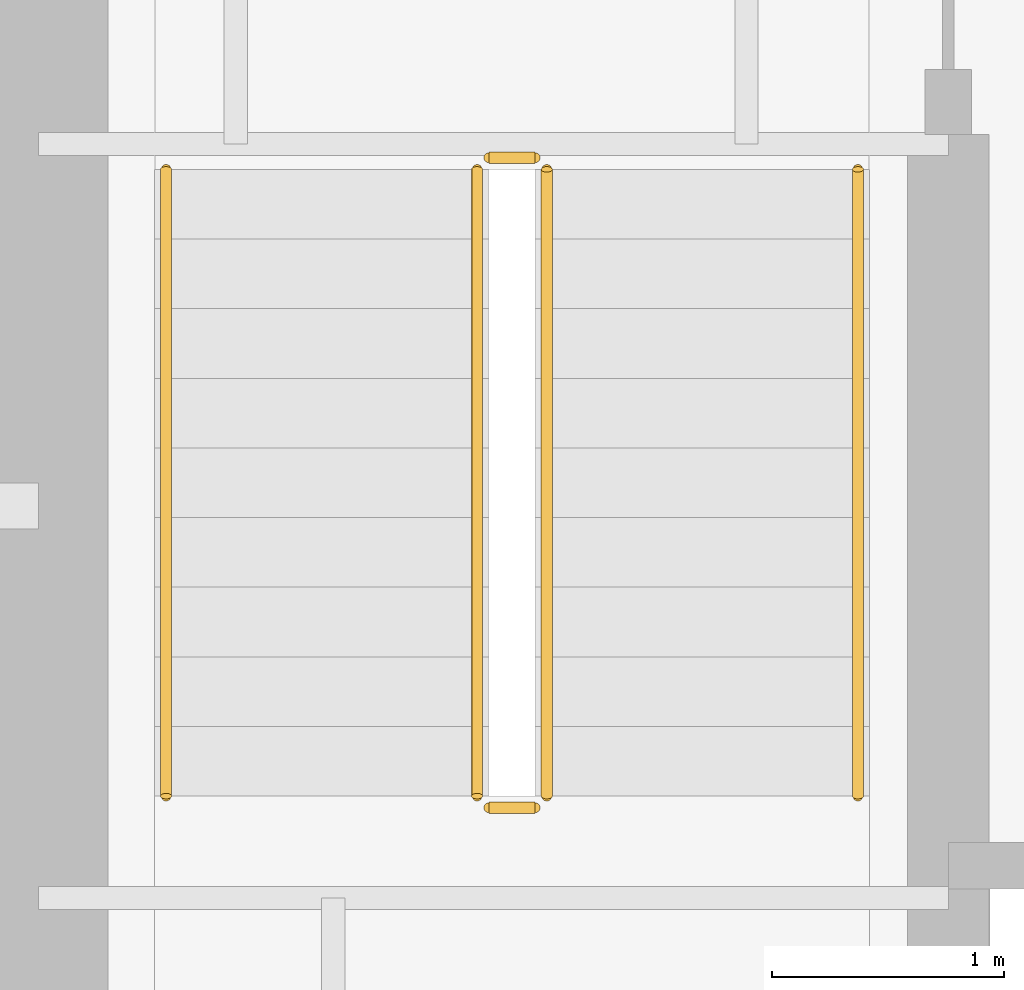
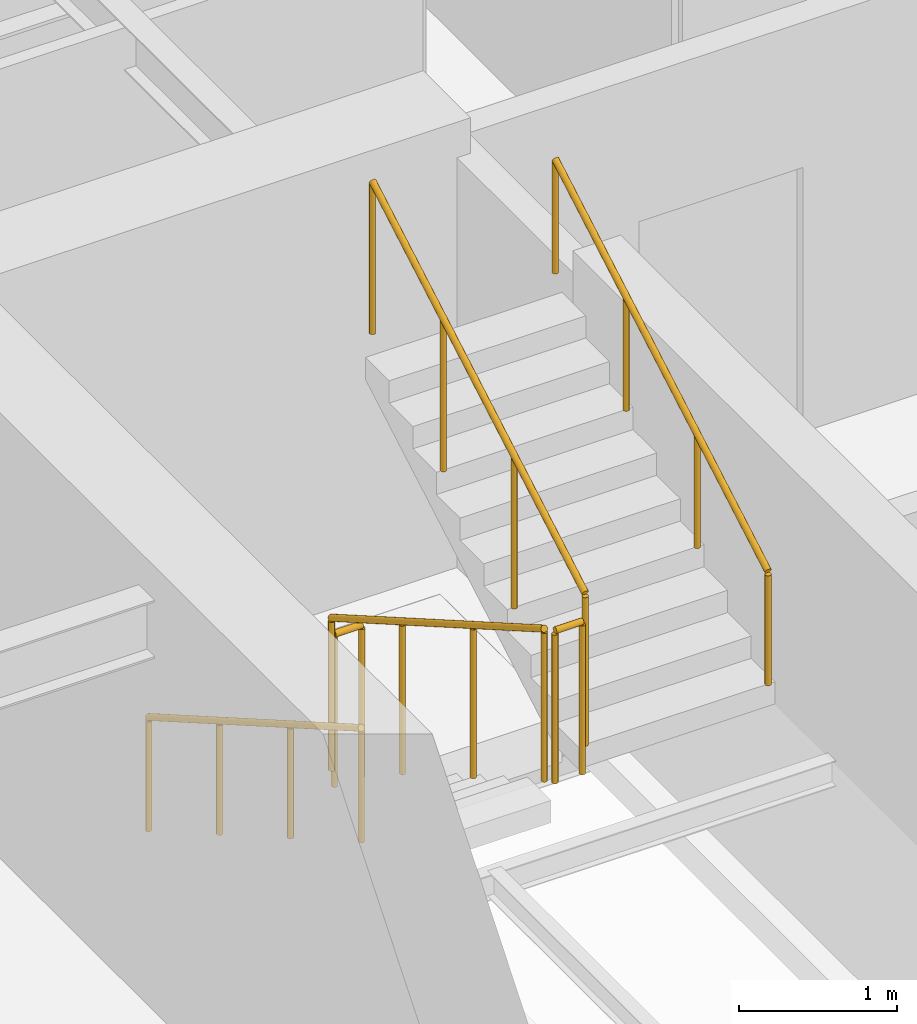
# One storey, part 11 of 15: 6 railings.
"""IFC4 building model written with IfcOpenShell, lengths in metres."""

from ifc_helpers import new_model, si_unit, direction, frame, origin, origin_2d, place, context, subcontext, project, spatial, circle, extrude, material, type_object, element, save


model = new_model("IFC4")

# Units and contexts
model_context = context("Model", 3, precision=1e-05, world=origin(), true_north=direction((0.0, 1.0)))
body_context = subcontext(model_context, "Body", "Model", "MODEL_VIEW")
ifc_project = project(units=[si_unit("LENGTHUNIT", "METRE"), si_unit("AREAUNIT", "SQUARE_METRE"), si_unit("VOLUMEUNIT", "CUBIC_METRE"), si_unit("PLANEANGLEUNIT", "RADIAN"), si_unit("MASSUNIT", "GRAM", prefix="KILO")], contexts=[model_context])

# Site, building, storey
site_placement = place(None, origin())
site = spatial("IfcSite", under=ifc_project, at=site_placement, CompositionType="ELEMENT")
building_placement = place(site_placement, origin())
building = spatial("IfcBuilding", under=site, at=building_placement, Name="Qiaolan Cultural Towers", CompositionType="ELEMENT")
storey_placement = place(building_placement, frame((0.0, 0.0, 113.85009765625)))
storey = spatial("IfcBuildingStorey", under=building, at=storey_placement, Name="L29", CompositionType="ELEMENT", Elevation=113.85009765625)

# Railings
ifc_material_1 = material(Name="Galvanized Painted Steel Stair Guardrail", Category="steel")
railing_type_1 = type_object("IfcRailingType", Name="RL-STAIR-GRD", PredefinedType="GUARDRAIL", material=ifc_material_1)
railing_1_placement = place(storey_placement, frame((23.68994140625, 19.550048828125, 0.17236328125)))
element("IfcRailing", 1, at=railing_1_placement, inside=storey, type_object=railing_type_1, Name="L29 ST-W1 stair guard 1", PredefinedType="GUARDRAIL", context=body_context, shape_type="SweptSolid", body=[
    extrude(circle(Radius=0.02392578125, at=origin_2d()), frame((0.0, 0.0, 1.17578125), z_axis=(0.0, -0.866903762492, 0.498475542607), x_axis=(1.0, 0.0, 0.0)), (0.0, 0.0, 1.0), 3.114501953125),
    extrude(circle(Radius=0.02099609375, at=origin_2d()), origin(), (0.0, 0.0, 1.0), 1.15185546875),
    extrude(circle(Radius=0.02099609375, at=origin_2d()), frame((0.0, -0.89990234375, 0.517578125)), (0.0, 0.0, 1.0), 1.15185546875),
    extrude(circle(Radius=0.02099609375, at=origin_2d()), frame((0.0, -1.800048828125, 1.034912109375)), (0.0, 0.0, 1.0), 1.15185546875),
    extrude(circle(Radius=0.02099609375, at=origin_2d()), frame((0.0, -2.699951171875, 1.552490234375)), (0.0, 0.0, 1.0), 1.15185546875),
])
railing_2_placement = place(storey_placement, frame((23.739990234375, 16.800048828125, 1.724853515625)))
element("IfcRailing", 2, at=railing_2_placement, inside=storey, type_object=railing_type_1, Name="L29 ST-W1 stair guard 2", PredefinedType="GUARDRAIL", context=body_context, shape_type="SweptSolid", body=[
    extrude(circle(Radius=0.02392578125, at=origin_2d()), frame((0.0, 0.0, 1.17578125), z_axis=(1.0, 0.0, 0.0), x_axis=(0.0, 1.0, 0.0)), (0.0, 0.0, 1.0), 0.199951171875),
    extrude(circle(Radius=0.02099609375, at=origin_2d()), origin(), (0.0, 0.0, 1.0), 1.15185546875),
    extrude(circle(Radius=0.02099609375, at=origin_2d()), frame((0.199951171875, 0.0, 0.0)), (0.0, 0.0, 1.0), 1.15185546875),
])
railing_3_placement = place(storey_placement, frame((23.989990234375, 16.85009765625, 1.8974609375)))
element("IfcRailing", 3, at=railing_3_placement, inside=storey, type_object=railing_type_1, Name="L29 ST-W1 stair guard 3", PredefinedType="GUARDRAIL", context=body_context, shape_type="SweptSolid", body=[
    extrude(circle(Radius=0.02392578125, at=origin_2d()), frame((0.0, 0.0, 1.17578125), z_axis=(0.0, 0.866903762492, 0.498475542607), x_axis=(-1.0, 0.0, 0.0)), (0.0, 0.0, 1.0), 3.114501953125),
    extrude(circle(Radius=0.02099609375, at=origin_2d()), origin(), (0.0, 0.0, 1.0), 1.15185546875),
    extrude(circle(Radius=0.02099609375, at=origin_2d()), frame((0.0, 0.89990234375, 0.517578125)), (0.0, 0.0, 1.0), 1.15185546875),
    extrude(circle(Radius=0.02099609375, at=origin_2d()), frame((0.0, 1.800048828125, 1.034912109375)), (0.0, 0.0, 1.0), 1.15185546875),
    extrude(circle(Radius=0.02099609375, at=origin_2d()), frame((0.0, 2.699951171875, 1.552490234375)), (0.0, 0.0, 1.0), 1.15185546875),
])
railing_4_placement = place(storey_placement, frame((23.739990234375, 19.60009765625, 0.0)))
element("IfcRailing", 4, at=railing_4_placement, inside=storey, type_object=railing_type_1, Name="L29 ST-W1 stair guard 4", PredefinedType="GUARDRAIL", context=body_context, shape_type="SweptSolid", body=[
    extrude(circle(Radius=0.02392578125, at=origin_2d()), frame((0.0, 0.0, 1.17578125), z_axis=(1.0, 0.0, 0.0), x_axis=(0.0, 1.0, 0.0)), (0.0, 0.0, 1.0), 0.199951171875),
    extrude(circle(Radius=0.02099609375, at=origin_2d()), origin(), (0.0, 0.0, 1.0), 1.15185546875),
    extrude(circle(Radius=0.02099609375, at=origin_2d()), frame((0.199951171875, 0.0, 0.0)), (0.0, 0.0, 1.0), 1.15185546875),
])
ifc_material_2 = material(Name="Stainless Steel S30408 Tubular Handrail", Category="steel")
railing_type_2 = type_object("IfcRailingType", Name="RL-STAIR-HR", PredefinedType="HANDRAIL", material=ifc_material_2)
railing_5_placement = place(storey_placement, frame((22.35009765625, 19.550048828125, 0.17236328125)))
element("IfcRailing", 5, at=railing_5_placement, inside=storey, type_object=railing_type_2, Name="L29 ST-W1 stair handrail 1", PredefinedType="HANDRAIL", context=body_context, shape_type="SweptSolid", body=[
    extrude(circle(Radius=0.02392578125, at=origin_2d()), frame((0.0, 0.0, 0.8759765625), z_axis=(0.0, -0.866903762492, 0.498475542607), x_axis=(1.0, 0.0, 0.0)), (0.0, 0.0, 1.0), 3.114501953125),
    extrude(circle(Radius=0.02099609375, at=origin_2d()), origin(), (0.0, 0.0, 1.0), 0.851806640625),
    extrude(circle(Radius=0.02099609375, at=origin_2d()), frame((0.0, -0.89990234375, 0.517578125)), (0.0, 0.0, 1.0), 0.851806640625),
    extrude(circle(Radius=0.02099609375, at=origin_2d()), frame((0.0, -1.800048828125, 1.034912109375)), (0.0, 0.0, 1.0), 0.851806640625),
    extrude(circle(Radius=0.02099609375, at=origin_2d()), frame((0.0, -2.699951171875, 1.552490234375)), (0.0, 0.0, 1.0), 0.851806640625),
])
railing_6_placement = place(storey_placement, frame((25.330078125, 16.85009765625, 1.8974609375)))
element("IfcRailing", 6, at=railing_6_placement, inside=storey, type_object=railing_type_2, Name="L29 ST-W1 stair handrail 2", PredefinedType="HANDRAIL", context=body_context, shape_type="SweptSolid", body=[
    extrude(circle(Radius=0.02392578125, at=origin_2d()), frame((0.0, 0.0, 0.8759765625), z_axis=(0.0, 0.866903762492, 0.498475542607), x_axis=(-1.0, 0.0, 0.0)), (0.0, 0.0, 1.0), 3.114501953125),
    extrude(circle(Radius=0.02099609375, at=origin_2d()), origin(), (0.0, 0.0, 1.0), 0.851806640625),
    extrude(circle(Radius=0.02099609375, at=origin_2d()), frame((0.0, 0.89990234375, 0.517578125)), (0.0, 0.0, 1.0), 0.851806640625),
    extrude(circle(Radius=0.02099609375, at=origin_2d()), frame((0.0, 1.800048828125, 1.034912109375)), (0.0, 0.0, 1.0), 0.851806640625),
    extrude(circle(Radius=0.02099609375, at=origin_2d()), frame((0.0, 2.699951171875, 1.552490234375)), (0.0, 0.0, 1.0), 0.851806640625),
])

save(model, "model.ifc")
